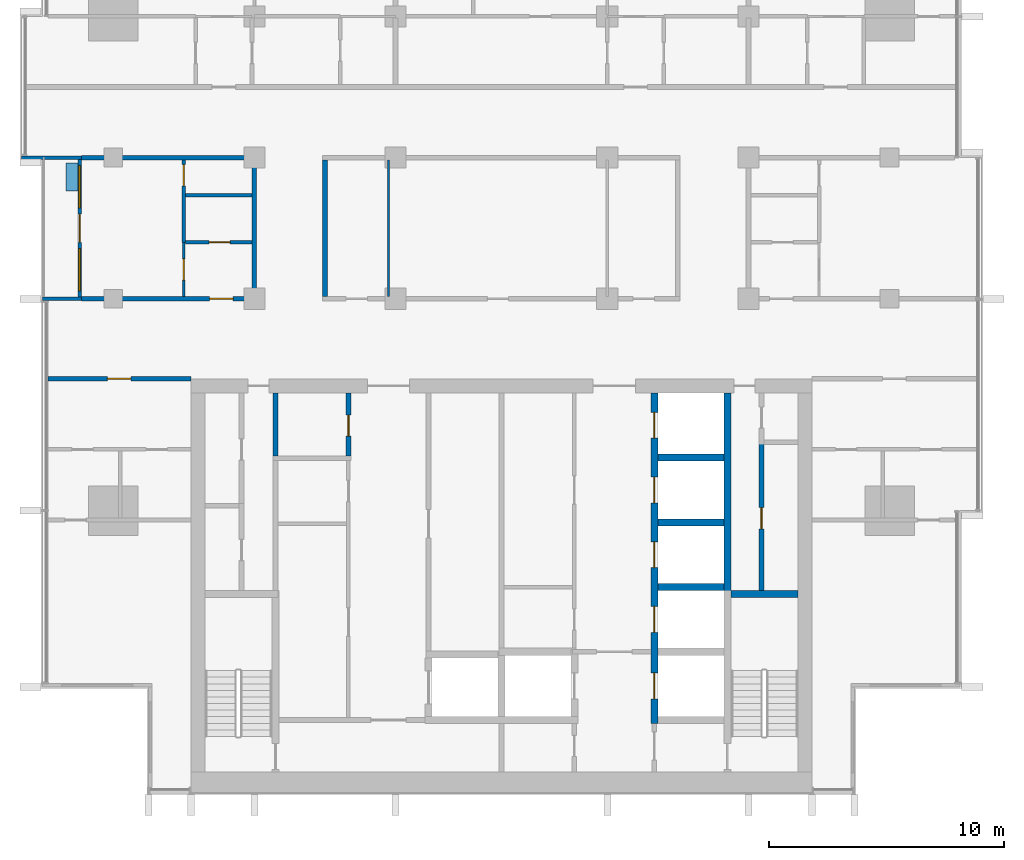
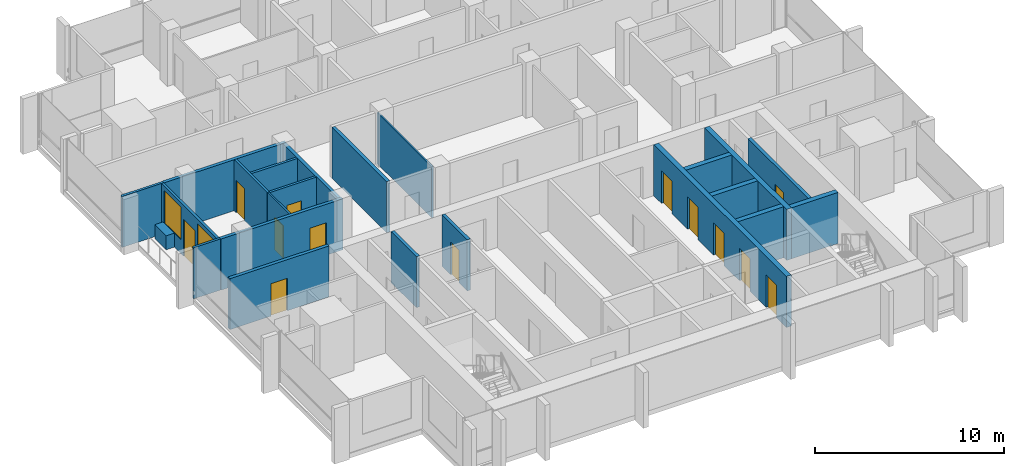
# One storey, part 8 of 16: 23 walls, 13 doors, 2 windows, 15 openings.
"""IFC4 building model written with IfcOpenShell, lengths in metres."""

from ifc_helpers import new_model, si_unit, direction, frame, frame_2d, origin, place, context, subcontext, project, spatial, rectangle, extrude, material, layer, layer_set, type_object, element, fill, save


model = new_model("IFC4")

# Units and contexts
model_context = context("Model", 3, precision=1e-05, world=origin(), true_north=direction((0.0, 1.0)))
body_context = subcontext(model_context, "Body", "Model", "MODEL_VIEW")
ifc_project = project(units=[si_unit("LENGTHUNIT", "METRE"), si_unit("AREAUNIT", "SQUARE_METRE"), si_unit("VOLUMEUNIT", "CUBIC_METRE"), si_unit("PLANEANGLEUNIT", "RADIAN"), si_unit("MASSUNIT", "GRAM", prefix="KILO")], contexts=[model_context])

# Site, building, storey
site_placement = place(None, origin())
site = spatial("IfcSite", under=ifc_project, at=site_placement, CompositionType="ELEMENT")
building_placement = place(site_placement, origin())
building = spatial("IfcBuilding", under=site, at=building_placement, Name="Finial Court Residences", CompositionType="ELEMENT")
storey_placement = place(building_placement, frame((0.0, 0.0, 233.89990234375)))
storey = spatial("IfcBuildingStorey", under=building, at=storey_placement, Name="L59", CompositionType="ELEMENT", Elevation=233.89990234375)

# Wall, opening, door
ifc_material_1 = material(Name="Gypsum board")
ifc_layer_1 = layer(ifc_material_1, 0.02490234375)
ifc_material_2 = material(Name="Acoustic mineral wool in double frame")
ifc_layer_2 = layer(ifc_material_2, 0.14990234375)
ifc_layer_3 = layer(ifc_material_1, 0.02490234375)
ifc_layer_set_1 = layer_set([ifc_layer_1, ifc_layer_2, ifc_layer_3], Name="Corridor wall 200, 1 hour")
wall_type_1 = type_object("IfcWallType", Name="Corridor wall 200, 1 hour", PredefinedType="PARTITIONING", material=ifc_layer_set_1)
wall_1_placement = place(storey_placement, frame((-19.262451171875, -7.89990234375, 0.0), z_axis=(0.0, 0.0, 1.0), x_axis=(1.0, 0.0, 0.0)))
wall_1 = element("IfcWall", 1, at=wall_1_placement, inside=storey, type_object=wall_type_1, Name="Partition L59-004", PredefinedType="PARTITIONING", context=body_context, shape_type="SweptSolid", body=[
    extrude(rectangle(XDim=6.0625, YDim=0.199951171875, at=frame_2d((3.03125, 0.0))), origin(), (0.0, 0.0, 1.0), 3.300048828125),
])
opening_1_placement = place(wall_1_placement, frame((2.511962890625, 0.0, 0.0)))
opening_1 = element("IfcOpeningElement", 2, at=opening_1_placement, cuts=wall_1, Name="Opening L59-D007", PredefinedType="OPENING", context=body_context, shape_type="SweptSolid", body=[
    extrude(rectangle(XDim=1.0, YDim=2.10009765625, at=frame_2d((0.5, 1.050048828125))), frame((0.0, 0.10986328125, 0.0), z_axis=(0.0, -1.0, 0.0), x_axis=(1.0, 0.0, 0.0)), (0.0, 0.0, 1.0), 0.219970703125),
])
ifc_material_3 = material(Name="Timber door leaf in hollow metal frame", Category="wood")
door_type_1 = type_object("IfcDoorType", Name="Fire door set 1000 x 2100, 30 minutes", OperationType="SINGLE_SWING_LEFT", PredefinedType="DOOR", material=ifc_material_3)
door_1_placement = place(opening_1_placement, origin())
door_1 = element("IfcDoor", 3, at=door_1_placement, inside=storey, type_object=door_type_1, Name="Door L59-D007", OperationType="SINGLE_SWING_RIGHT", OverallHeight=2.10009765625, OverallWidth=1.0, PredefinedType="DOOR", context=body_context, shape_type="SweptSolid", body=[
    extrude(rectangle(XDim=1.0, YDim=2.10009765625, at=frame_2d((0.5, 1.050048828125))), frame((0.0, 0.02490234375, 0.0), z_axis=(0.0, -1.0, 0.0), x_axis=(1.0, 0.0, 0.0)), (0.0, 0.0, 1.0), 0.050048828125),
])
fill(opening_1, door_1)

wall_2_placement = place(storey_placement, frame((-17.85009765625, -4.5, 0.0), z_axis=(0.0, 0.0, 1.0), x_axis=(1.0, 0.0, 0.0)))
wall_2 = element("IfcWall", 4, at=wall_2_placement, inside=storey, type_object=wall_type_1, Name="Partition L59-006", PredefinedType="PARTITIONING", context=body_context, shape_type="SweptSolid", body=[
    extrude(rectangle(XDim=7.4501953125, YDim=0.199951171875, at=frame_2d((3.72509765625, 0.0))), origin(), (0.0, 0.0, 1.0), 3.300048828125),
])
opening_2_placement = place(wall_2_placement, frame((5.449951171875, 0.0, 0.0)))
opening_2 = element("IfcOpeningElement", 5, at=opening_2_placement, cuts=wall_2, Name="Opening L59-D009", PredefinedType="OPENING", context=body_context, shape_type="SweptSolid", body=[
    extrude(rectangle(XDim=1.0, YDim=2.10009765625, at=frame_2d((0.5, 1.050048828125))), frame((0.0, 0.10986328125, 0.0), z_axis=(0.0, -1.0, 0.0), x_axis=(1.0, 0.0, 0.0)), (0.0, 0.0, 1.0), 0.219970703125),
])
door_2_placement = place(opening_2_placement, origin())
door_2 = element("IfcDoor", 6, at=door_2_placement, inside=storey, type_object=door_type_1, Name="Door L59-D009", OperationType="SINGLE_SWING_LEFT", OverallHeight=2.10009765625, OverallWidth=1.0, PredefinedType="DOOR", context=body_context, shape_type="SweptSolid", body=[
    extrude(rectangle(XDim=1.0, YDim=2.10009765625, at=frame_2d((0.5, 1.050048828125))), frame((0.0, 0.02490234375, 0.0), z_axis=(0.0, -1.0, 0.0), x_axis=(1.0, 0.0, 0.0)), (0.0, 0.0, 1.0), 0.050048828125),
])
fill(opening_2, door_2)

# Walls
wall_3_placement = place(storey_placement, frame((-17.85009765625, 1.5, 0.0), z_axis=(0.0, 0.0, 1.0), x_axis=(1.0, 0.0, 0.0)))
element("IfcWall", 7, at=wall_3_placement, inside=storey, type_object=wall_type_1, Name="Partition L59-013", PredefinedType="PARTITIONING", context=body_context, shape_type="SweptSolid", body=[
    extrude(rectangle(XDim=7.4501953125, YDim=0.199951171875, at=frame_2d((3.72509765625, 0.0))), origin(), (0.0, 0.0, 1.0), 3.300048828125),
])
for number, where, z_axis, x_axis, name in (
    (8, (-10.5, -4.39990234375, 0.0), (0.0, 0.0, 1.0), (0.0, 1.0, 0.0), "Partition L59-034"),
    (9, (-7.5, -4.39990234375, 0.0), (0.0, 0.0, 1.0), (0.0, 1.0, 0.0), "Partition L59-036"),
):
    element("IfcWall", number, at=place(storey_placement, frame(where, z_axis=z_axis, x_axis=x_axis)), inside=storey, type_object=wall_type_1, Name=name, PredefinedType="PARTITIONING", context=body_context, shape_type="SweptSolid", body=[
        extrude(rectangle(XDim=5.7998046875, YDim=0.199951171875, at=frame_2d((2.89990234375, 0.0))), origin(), (0.0, 0.0, 1.0), 3.300048828125),
    ])

# Wall, opening, door
ifc_layer_4 = layer(ifc_material_1, 0.012451171875)
ifc_material_4 = material(Name="Mineral wool in light-gauge frame")
ifc_layer_5 = layer(ifc_material_4, 0.074951171875)
ifc_layer_6 = layer(ifc_material_1, 0.012451171875)
ifc_layer_set_2 = layer_set([ifc_layer_4, ifc_layer_5, ifc_layer_6], Name="Gypsum board partition 100")
wall_type_2 = type_object("IfcWallType", Name="Gypsum board partition 100", PredefinedType="PARTITIONING", material=ifc_layer_set_2)
wall_4_placement = place(storey_placement, frame((-13.5, -4.39990234375, 0.0), z_axis=(0.0, 0.0, 1.0), x_axis=(0.0, 1.0, 0.0)))
wall_4 = element("IfcWall", 10, at=wall_4_placement, inside=storey, type_object=wall_type_2, Name="Partition L59-030", PredefinedType="PARTITIONING", context=body_context, shape_type="SweptSolid", body=[
    extrude(rectangle(XDim=2.2998046875, YDim=0.10009765625, at=frame_2d((1.14990234375, 0.0))), origin(), (0.0, 0.0, 1.0), 3.300048828125),
])
opening_3_placement = place(wall_4_placement, frame((0.699951171875, 0.0, 0.0)))
opening_3 = element("IfcOpeningElement", 11, at=opening_3_placement, cuts=wall_4, Name="Opening L59-D027", PredefinedType="OPENING", context=body_context, shape_type="SweptSolid", body=[
    extrude(rectangle(XDim=0.89990234375, YDim=2.10009765625, at=frame_2d((0.449951171875, 1.050048828125))), frame((0.0, 0.06005859375, 0.0), z_axis=(0.0, -1.0, 0.0), x_axis=(1.0, 0.0, 0.0)), (0.0, 0.0, 1.0), 0.1201171875),
])
ifc_material_5 = material(Name="Timber door leaf in timber frame", Category="wood")
door_type_2 = type_object("IfcDoorType", Name="Door set 900 x 2100", OperationType="SINGLE_SWING_LEFT", PredefinedType="DOOR", material=ifc_material_5)
door_3_placement = place(opening_3_placement, origin())
door_3 = element("IfcDoor", 12, at=door_3_placement, inside=storey, type_object=door_type_2, Name="Door L59-D027", OperationType="SINGLE_SWING_RIGHT", OverallHeight=2.10009765625, OverallWidth=0.89990234375, PredefinedType="DOOR", context=body_context, shape_type="SweptSolid", body=[
    extrude(rectangle(XDim=0.89990234375, YDim=2.10009765625, at=frame_2d((0.449951171875, 1.050048828125))), frame((0.0, 0.02490234375, 0.0), z_axis=(0.0, -1.0, 0.0), x_axis=(1.0, 0.0, 0.0)), (0.0, 0.0, 1.0), 0.050048828125),
])
fill(opening_3, door_3)

# Wall
wall_5_placement = place(storey_placement, frame((-4.800048828125, -4.39990234375, 0.0), z_axis=(0.0, 0.0, 1.0), x_axis=(0.0, 1.0, 0.0)))
element("IfcWall", 13, at=wall_5_placement, inside=storey, type_object=wall_type_2, Name="Partition L59-038", PredefinedType="PARTITIONING", context=body_context, shape_type="SweptSolid", body=[
    extrude(rectangle(XDim=5.7998046875, YDim=0.10009765625, at=frame_2d((2.89990234375, 0.0))), origin(), (0.0, 0.0, 1.0), 3.300048828125),
])

# Wall, opening, door
ifc_material_6 = material(Name="Moisture-resistant gypsum board")
ifc_layer_7 = layer(ifc_material_6, 0.012451171875)
ifc_layer_8 = layer(ifc_material_4, 0.125)
ifc_layer_9 = layer(ifc_material_6, 0.012451171875)
ifc_layer_set_3 = layer_set([ifc_layer_7, ifc_layer_8, ifc_layer_9], Name="Gypsum board wet-area partition 150")
wall_type_3 = type_object("IfcWallType", Name="Gypsum board wet-area partition 150", PredefinedType="PARTITIONING", material=ifc_layer_set_3)
wall_6_placement = place(storey_placement, frame((-13.425048828125, -2.10009765625, 0.0), z_axis=(0.0, 0.0, 1.0), x_axis=(1.0, 0.0, 0.0)))
wall_6 = element("IfcWall", 14, at=wall_6_placement, inside=storey, type_object=wall_type_3, Name="Partition L59-009", PredefinedType="PARTITIONING", context=body_context, shape_type="SweptSolid", body=[
    extrude(rectangle(XDim=2.824951171875, YDim=0.14990234375, at=frame_2d((1.41259765625, 0.0))), origin(), (0.0, 0.0, 1.0), 3.300048828125),
])
opening_4_placement = place(wall_6_placement, frame((1.0, 0.0, 0.0)))
opening_4 = element("IfcOpeningElement", 15, at=opening_4_placement, cuts=wall_6, Name="Opening L59-D014", PredefinedType="OPENING", context=body_context, shape_type="SweptSolid", body=[
    extrude(rectangle(XDim=0.89990234375, YDim=2.10009765625, at=frame_2d((0.449951171875, 1.050048828125))), frame((0.0, 0.0849609375, 0.0), z_axis=(0.0, -1.0, 0.0), x_axis=(1.0, 0.0, 0.0)), (0.0, 0.0, 1.0), 0.169921875),
])
door_4_placement = place(opening_4_placement, origin())
door_4 = element("IfcDoor", 16, at=door_4_placement, inside=storey, type_object=door_type_2, Name="Door L59-D014", OperationType="SINGLE_SWING_RIGHT", OverallHeight=2.10009765625, OverallWidth=0.89990234375, PredefinedType="DOOR", context=body_context, shape_type="SweptSolid", body=[
    extrude(rectangle(XDim=0.89990234375, YDim=2.10009765625, at=frame_2d((0.449951171875, 1.050048828125))), frame((0.0, 0.02490234375, 0.0), z_axis=(0.0, -1.0, 0.0), x_axis=(1.0, 0.0, 0.0)), (0.0, 0.0, 1.0), 0.050048828125),
])
fill(opening_4, door_4)

# Wall
wall_7_placement = place(storey_placement, frame((-13.425048828125, -0.10009765625, 0.0), z_axis=(0.0, 0.0, 1.0), x_axis=(1.0, 0.0, 0.0)))
element("IfcWall", 17, at=wall_7_placement, inside=storey, type_object=wall_type_3, Name="Partition L59-011", PredefinedType="PARTITIONING", context=body_context, shape_type="SweptSolid", body=[
    extrude(rectangle(XDim=2.824951171875, YDim=0.14990234375, at=frame_2d((1.41259765625, 0.0))), origin(), (0.0, 0.0, 1.0), 3.300048828125),
])

# Wall, opening, door
wall_8_placement = place(storey_placement, frame((-13.5, -2.10009765625, 0.0), z_axis=(0.0, 0.0, 1.0), x_axis=(0.0, 1.0, 0.0)))
wall_8 = element("IfcWall", 18, at=wall_8_placement, inside=storey, type_object=wall_type_3, Name="Partition L59-031", PredefinedType="PARTITIONING", context=body_context, shape_type="SweptSolid", body=[
    extrude(rectangle(XDim=3.5, YDim=0.14990234375, at=frame_2d((1.75, 0.0))), origin(), (0.0, 0.0, 1.0), 3.300048828125),
])
opening_5_placement = place(wall_8_placement, frame((2.39990234375, 0.0, 0.0)))
opening_5 = element("IfcOpeningElement", 19, at=opening_5_placement, cuts=wall_8, Name="Opening L59-D028", PredefinedType="OPENING", context=body_context, shape_type="SweptSolid", body=[
    extrude(rectangle(XDim=0.89990234375, YDim=2.10009765625, at=frame_2d((0.449951171875, 1.050048828125))), frame((0.0, 0.0849609375, 0.0), z_axis=(0.0, -1.0, 0.0), x_axis=(1.0, 0.0, 0.0)), (0.0, 0.0, 1.0), 0.169921875),
])
door_5_placement = place(opening_5_placement, origin())
door_5 = element("IfcDoor", 20, at=door_5_placement, inside=storey, type_object=door_type_2, Name="Door L59-D028", OperationType="SINGLE_SWING_RIGHT", OverallHeight=2.10009765625, OverallWidth=0.89990234375, PredefinedType="DOOR", context=body_context, shape_type="SweptSolid", body=[
    extrude(rectangle(XDim=0.89990234375, YDim=2.10009765625, at=frame_2d((0.449951171875, 1.050048828125))), frame((0.0, 0.02490234375, 0.0), z_axis=(0.0, -1.0, 0.0), x_axis=(1.0, 0.0, 0.0)), (0.0, 0.0, 1.0), 0.050048828125),
])
fill(opening_5, door_5)

# Walls
ifc_material_7 = material(Name="Concrete C60/75", Category="concrete")
ifc_layer_10 = layer(ifc_material_7, 0.300048828125)
ifc_layer_set_4 = layer_set([ifc_layer_10], Name="Lift shaft and stair wall 300 Concrete C60/75")
wall_type_4 = type_object("IfcWallType", Name="Lift shaft and stair wall 300 Concrete C60/75", PredefinedType="SHEAR", material=ifc_layer_set_4)
wall_9_placement = place(storey_placement, frame((9.75, -17.050048828125, 0.0), z_axis=(0.0, 0.0, 1.0), x_axis=(1.0, 0.0, 0.0)))
element("IfcWall", 21, at=wall_9_placement, inside=storey, type_object=wall_type_4, Name="Core wall L59-09", PredefinedType="SHEAR", context=body_context, shape_type="SweptSolid", body=[
    extrude(rectangle(XDim=2.85009765625, YDim=0.300048828125, at=frame_2d((1.425048828125, 0.0))), origin(), (0.0, 0.0, 1.0), 3.300048828125),
])
for number, where, z_axis, x_axis, name in (
    (22, (6.64990234375, -16.75, 0.0), (0.0, 0.0, 1.0), (1.0, 0.0, 0.0), "Core wall L59-11"),
    (23, (6.64990234375, -14.0, 0.0), (0.0, 0.0, 1.0), (1.0, 0.0, 0.0), "Core wall L59-13"),
    (24, (6.64990234375, -11.25, 0.0), (0.0, 0.0, 1.0), (1.0, 0.0, 0.0), "Core wall L59-16"),
):
    element("IfcWall", number, at=place(storey_placement, frame(where, z_axis=z_axis, x_axis=x_axis)), inside=storey, type_object=wall_type_4, Name=name, PredefinedType="SHEAR", context=body_context, shape_type="SweptSolid", body=[
        extrude(rectangle(XDim=2.800048828125, YDim=0.300048828125, at=frame_2d((1.39990234375, 0.0))), origin(), (0.0, 0.0, 1.0), 3.300048828125),
    ])

# Wall, openings, doors
wall_10_placement = place(storey_placement, frame((6.5, -22.550048828125, 0.0), z_axis=(0.0, 0.0, 1.0), x_axis=(0.0, 1.0, 0.0)))
wall_10 = element("IfcWall", 25, at=wall_10_placement, inside=storey, type_object=wall_type_4, Name="Core wall L59-34", PredefinedType="SHEAR", context=body_context, shape_type="SweptSolid", body=[
    extrude(rectangle(XDim=14.050048828125, YDim=0.300048828125, at=frame_2d((7.02490234375, 0.0))), origin(), (0.0, 0.0, 1.0), 3.300048828125),
])
opening_6_placement = place(wall_10_placement, frame((1.050048828125, 0.0, 0.0)))
opening_6 = element("IfcOpeningElement", 26, at=opening_6_placement, cuts=wall_10, Name="Opening L59-LD02", PredefinedType="OPENING", context=body_context, shape_type="SweptSolid", body=[
    extrude(rectangle(XDim=1.10009765625, YDim=2.10009765625, at=frame_2d((0.550048828125, 1.050048828125))), frame((0.0, 0.159912109375, 0.0), z_axis=(0.0, -1.0, 0.0), x_axis=(1.0, 0.0, 0.0)), (0.0, 0.0, 1.0), 0.320068359375),
])
opening_7_placement = place(wall_10_placement, frame((3.875, 0.0, 0.0)))
opening_7 = element("IfcOpeningElement", 27, at=opening_7_placement, cuts=wall_10, Name="Opening L59-LD03", PredefinedType="OPENING", context=body_context, shape_type="SweptSolid", body=[
    extrude(rectangle(XDim=1.10009765625, YDim=2.10009765625, at=frame_2d((0.550048828125, 1.050048828125))), frame((0.0, 0.159912109375, 0.0), z_axis=(0.0, -1.0, 0.0), x_axis=(1.0, 0.0, 0.0)), (0.0, 0.0, 1.0), 0.320068359375),
])
opening_8_placement = place(wall_10_placement, frame((6.625, 0.0, 0.0)))
opening_8 = element("IfcOpeningElement", 28, at=opening_8_placement, cuts=wall_10, Name="Opening L59-LD04", PredefinedType="OPENING", context=body_context, shape_type="SweptSolid", body=[
    extrude(rectangle(XDim=1.10009765625, YDim=2.10009765625, at=frame_2d((0.550048828125, 1.050048828125))), frame((0.0, 0.159912109375, 0.0), z_axis=(0.0, -1.0, 0.0), x_axis=(1.0, 0.0, 0.0)), (0.0, 0.0, 1.0), 0.320068359375),
])
opening_9_placement = place(wall_10_placement, frame((9.375, 0.0, 0.0)))
opening_9 = element("IfcOpeningElement", 29, at=opening_9_placement, cuts=wall_10, Name="Opening L59-LD05", PredefinedType="OPENING", context=body_context, shape_type="SweptSolid", body=[
    extrude(rectangle(XDim=1.10009765625, YDim=2.10009765625, at=frame_2d((0.550048828125, 1.050048828125))), frame((0.0, 0.159912109375, 0.0), z_axis=(0.0, -1.0, 0.0), x_axis=(1.0, 0.0, 0.0)), (0.0, 0.0, 1.0), 0.320068359375),
])
opening_10_placement = place(wall_10_placement, frame((12.125, 0.0, 0.0)))
opening_10 = element("IfcOpeningElement", 30, at=opening_10_placement, cuts=wall_10, Name="Opening L59-LD06", PredefinedType="OPENING", context=body_context, shape_type="SweptSolid", body=[
    extrude(rectangle(XDim=1.10009765625, YDim=2.10009765625, at=frame_2d((0.550048828125, 1.050048828125))), frame((0.0, 0.159912109375, 0.0), z_axis=(0.0, -1.0, 0.0), x_axis=(1.0, 0.0, 0.0)), (0.0, 0.0, 1.0), 0.320068359375),
])
ifc_material_8 = material(Name="Stainless steel lift door", Category="steel")
door_type_3 = type_object("IfcDoorType", Name="Lift landing door 1100 x 2100 EI 90", OperationType="DOUBLE_DOOR_SLIDING", PredefinedType="DOOR", material=ifc_material_8)
door_6_placement = place(opening_6_placement, origin())
door_6 = element("IfcDoor", 31, at=door_6_placement, inside=storey, type_object=door_type_3, Name="Lift landing door FF2 L59", OperationType="DOUBLE_DOOR_SLIDING", OverallHeight=2.10009765625, OverallWidth=1.10009765625, PredefinedType="DOOR", context=body_context, shape_type="SweptSolid", body=[
    extrude(rectangle(XDim=1.10009765625, YDim=2.10009765625, at=frame_2d((0.550048828125, 1.050048828125))), frame((0.0, 0.02490234375, 0.0), z_axis=(0.0, -1.0, 0.0), x_axis=(1.0, 0.0, 0.0)), (0.0, 0.0, 1.0), 0.050048828125),
])
fill(opening_6, door_6)
door_7_placement = place(opening_7_placement, origin())
door_7 = element("IfcDoor", 32, at=door_7_placement, inside=storey, type_object=door_type_3, Name="Lift landing door HR5 L59", OperationType="DOUBLE_DOOR_SLIDING", OverallHeight=2.10009765625, OverallWidth=1.10009765625, PredefinedType="DOOR", context=body_context, shape_type="SweptSolid", body=[
    extrude(rectangle(XDim=1.10009765625, YDim=2.10009765625, at=frame_2d((0.550048828125, 1.050048828125))), frame((0.0, 0.02490234375, 0.0), z_axis=(0.0, -1.0, 0.0), x_axis=(1.0, 0.0, 0.0)), (0.0, 0.0, 1.0), 0.050048828125),
])
fill(opening_7, door_7)
door_8_placement = place(opening_8_placement, origin())
door_8 = element("IfcDoor", 33, at=door_8_placement, inside=storey, type_object=door_type_3, Name="Lift landing door HR6 L59", OperationType="DOUBLE_DOOR_SLIDING", OverallHeight=2.10009765625, OverallWidth=1.10009765625, PredefinedType="DOOR", context=body_context, shape_type="SweptSolid", body=[
    extrude(rectangle(XDim=1.10009765625, YDim=2.10009765625, at=frame_2d((0.550048828125, 1.050048828125))), frame((0.0, 0.02490234375, 0.0), z_axis=(0.0, -1.0, 0.0), x_axis=(1.0, 0.0, 0.0)), (0.0, 0.0, 1.0), 0.050048828125),
])
fill(opening_8, door_8)
door_9_placement = place(opening_9_placement, origin())
door_9 = element("IfcDoor", 34, at=door_9_placement, inside=storey, type_object=door_type_3, Name="Lift landing door HR7 L59", OperationType="DOUBLE_DOOR_SLIDING", OverallHeight=2.10009765625, OverallWidth=1.10009765625, PredefinedType="DOOR", context=body_context, shape_type="SweptSolid", body=[
    extrude(rectangle(XDim=1.10009765625, YDim=2.10009765625, at=frame_2d((0.550048828125, 1.050048828125))), frame((0.0, 0.02490234375, 0.0), z_axis=(0.0, -1.0, 0.0), x_axis=(1.0, 0.0, 0.0)), (0.0, 0.0, 1.0), 0.050048828125),
])
fill(opening_9, door_9)
door_10_placement = place(opening_10_placement, origin())
door_10 = element("IfcDoor", 35, at=door_10_placement, inside=storey, type_object=door_type_3, Name="Lift landing door HR8 L59", OperationType="DOUBLE_DOOR_SLIDING", OverallHeight=2.10009765625, OverallWidth=1.10009765625, PredefinedType="DOOR", context=body_context, shape_type="SweptSolid", body=[
    extrude(rectangle(XDim=1.10009765625, YDim=2.10009765625, at=frame_2d((0.550048828125, 1.050048828125))), frame((0.0, 0.02490234375, 0.0), z_axis=(0.0, -1.0, 0.0), x_axis=(1.0, 0.0, 0.0)), (0.0, 0.0, 1.0), 0.050048828125),
])
fill(opening_10, door_10)

# Walls
wall_11_placement = place(storey_placement, frame((9.60009765625, -17.199951171875, 0.0), z_axis=(0.0, 0.0, 1.0), x_axis=(0.0, 1.0, 0.0)))
element("IfcWall", 36, at=wall_11_placement, inside=storey, type_object=wall_type_4, Name="Core wall L59-36", PredefinedType="SHEAR", context=body_context, shape_type="SweptSolid", body=[
    extrude(rectangle(XDim=8.699951171875, YDim=0.300048828125, at=frame_2d((4.35009765625, 0.0))), origin(), (0.0, 0.0, 1.0), 3.300048828125),
])
ifc_material_9 = material(Name="Natural limestone", Category="masonry")
ifc_layer_11 = layer(ifc_material_9, 0.14990234375)
ifc_layer_set_5 = layer_set([ifc_layer_11], Name="Limestone clad wall 150")
wall_type_5 = type_object("IfcWallType", Name="Limestone clad wall 150", PredefinedType="SOLIDWALL", material=ifc_layer_set_5)
wall_12_placement = place(storey_placement, frame((-17.85009765625, -4.5, 0.0), z_axis=(0.0, 0.0, 1.0), x_axis=(-1.0, 0.0, 0.0)))
element("IfcWall", 37, at=wall_12_placement, inside=storey, type_object=wall_type_5, Name="E-L59-BALW3-P1", PredefinedType="SOLIDWALL", context=body_context, shape_type="SweptSolid", body=[
    extrude(rectangle(XDim=1.64990234375, YDim=0.14990234375, at=frame_2d((0.824951171875, 0.0))), origin(), (0.0, 0.0, 1.0), 3.300048828125),
])
wall_13_placement = place(storey_placement, frame((-17.85009765625, 1.5, 0.0), z_axis=(0.0, 0.0, 1.0), x_axis=(-1.0, 0.0, 0.0)))
element("IfcWall", 38, at=wall_13_placement, inside=storey, type_object=wall_type_5, Name="E-L59-BALW3-P2", PredefinedType="SOLIDWALL", context=body_context, shape_type="SweptSolid", body=[
    extrude(rectangle(XDim=2.5498046875, YDim=0.14990234375, at=frame_2d((1.27490234375, 0.0))), origin(), (0.0, 0.0, 1.0), 3.300048828125),
])

# Wall, openings, door, windows
wall_14_placement = place(storey_placement, frame((-17.925048828125, -4.425048828125, 0.0), z_axis=(0.0, 0.0, 1.0), x_axis=(0.0, 1.0, 0.0)))
wall_14 = element("IfcWall", 39, at=wall_14_placement, inside=storey, type_object=wall_type_5, Name="E-L59-L59-BALW3-W", PredefinedType="SOLIDWALL", context=body_context, shape_type="SweptSolid", body=[
    extrude(rectangle(XDim=5.85009765625, YDim=0.14990234375, at=frame_2d((2.925048828125, 0.0))), origin(), (0.0, 0.0, 1.0), 3.300048828125),
])
opening_11_placement = place(wall_14_placement, frame((2.324951171875, 0.0, 0.0)))
opening_11 = element("IfcOpeningElement", 40, at=opening_11_placement, cuts=wall_14, Name="Opening DE59-02", PredefinedType="OPENING", context=body_context, shape_type="SweptSolid", body=[
    extrude(rectangle(XDim=1.199951171875, YDim=2.39990234375, at=frame_2d((0.60009765625, 1.199951171875))), frame((0.0, 0.0849609375, 0.0), z_axis=(0.0, -1.0, 0.0), x_axis=(1.0, 0.0, 0.0)), (0.0, 0.0, 1.0), 0.169921875),
])
opening_12_placement = place(wall_14_placement, frame((0.262451171875, 0.0, 0.89990234375)))
opening_12 = element("IfcOpeningElement", 41, at=opening_12_placement, cuts=wall_14, Name="Opening WE59-11", PredefinedType="OPENING", context=body_context, shape_type="SweptSolid", body=[
    extrude(rectangle(XDim=1.800048828125, YDim=2.10009765625, at=frame_2d((0.89990234375, 1.050048828125))), frame((0.0, 0.0849609375, 0.0), z_axis=(0.0, -1.0, 0.0), x_axis=(1.0, 0.0, 0.0)), (0.0, 0.0, 1.0), 0.169921875),
])
opening_13_placement = place(wall_14_placement, frame((3.78759765625, 0.0, 0.89990234375)))
opening_13 = element("IfcOpeningElement", 42, at=opening_13_placement, cuts=wall_14, Name="Opening WE59-12", PredefinedType="OPENING", context=body_context, shape_type="SweptSolid", body=[
    extrude(rectangle(XDim=1.800048828125, YDim=2.10009765625, at=frame_2d((0.89990234375, 1.050048828125))), frame((0.0, 0.0849609375, 0.0), z_axis=(0.0, -1.0, 0.0), x_axis=(1.0, 0.0, 0.0)), (0.0, 0.0, 1.0), 0.169921875),
])
ifc_material_10 = material(Name="Bronze anodised aluminium", Category="aluminium")
door_type_4 = type_object("IfcDoorType", Name="Balcony door 1200 x 2400", OperationType="SINGLE_SWING_LEFT", PredefinedType="DOOR", material=ifc_material_10)
door_11_placement = place(opening_11_placement, origin())
door_11 = element("IfcDoor", 43, at=door_11_placement, inside=storey, type_object=door_type_4, Name="E-L59-L59-BALW3-W-D", OperationType="SINGLE_SWING_LEFT", OverallHeight=2.39990234375, OverallWidth=1.199951171875, PredefinedType="DOOR", context=body_context, shape_type="SweptSolid", body=[
    extrude(rectangle(XDim=1.199951171875, YDim=2.39990234375, at=frame_2d((0.60009765625, 1.199951171875))), frame((0.0, 0.02490234375, 0.0), z_axis=(0.0, -1.0, 0.0), x_axis=(1.0, 0.0, 0.0)), (0.0, 0.0, 1.0), 0.050048828125),
])
fill(opening_11, door_11)
ifc_material_11 = material(Name="Clear low-e glass", Category="glass")
window_type = type_object("IfcWindowType", Name="Balcony window 1800 x 2100", PartitioningType="SINGLE_PANEL", PredefinedType="WINDOW", material=ifc_material_11)
window_1_placement = place(opening_12_placement, origin())
window_1 = element("IfcWindow", 44, at=window_1_placement, inside=storey, type_object=window_type, Name="E-L59-L59-BALW3-W-W1", OverallHeight=2.10009765625, OverallWidth=1.800048828125, PartitioningType="SINGLE_PANEL", PredefinedType="WINDOW", context=body_context, shape_type="SweptSolid", body=[
    extrude(rectangle(XDim=1.800048828125, YDim=2.10009765625, at=frame_2d((0.89990234375, 1.050048828125))), frame((0.0, 0.030029296875, 0.0), z_axis=(0.0, -1.0, 0.0), x_axis=(1.0, 0.0, 0.0)), (0.0, 0.0, 1.0), 0.06005859375),
])
fill(opening_12, window_1)
window_2_placement = place(opening_13_placement, origin())
window_2 = element("IfcWindow", 45, at=window_2_placement, inside=storey, type_object=window_type, Name="E-L59-L59-BALW3-W-W2", OverallHeight=2.10009765625, OverallWidth=1.800048828125, PartitioningType="SINGLE_PANEL", PredefinedType="WINDOW", context=body_context, shape_type="SweptSolid", body=[
    extrude(rectangle(XDim=1.800048828125, YDim=2.10009765625, at=frame_2d((0.89990234375, 1.050048828125))), frame((0.0, 0.030029296875, 0.0), z_axis=(0.0, -1.0, 0.0), x_axis=(1.0, 0.0, 0.0)), (0.0, 0.0, 1.0), 0.06005859375),
])
fill(opening_13, window_2)

# Walls
ifc_material_12 = material(Name="Concrete C40/50", Category="concrete")
ifc_layer_12 = layer(ifc_material_12, 0.10009765625)
ifc_material_13 = material(Name="Planting soil", Category="soil")
ifc_layer_13 = layer(ifc_material_13, 0.300048828125)
ifc_layer_14 = layer(ifc_material_12, 0.10009765625)
ifc_layer_set_6 = layer_set([ifc_layer_12, ifc_layer_13, ifc_layer_14], Name="Planter wall, balcony")
wall_type_6 = type_object("IfcWallType", Name="Planter wall, balcony", PredefinedType="USERDEFINED", material=ifc_layer_set_6)
wall_15_placement = place(storey_placement, frame((-18.25, 0.074951171875, 0.0), z_axis=(0.0, 0.0, 1.0), x_axis=(0.0, 1.0, 0.0)))
element("IfcWall", 46, at=wall_15_placement, inside=storey, type_object=wall_type_6, Name="E-L59-BALW3-PL", ObjectType="PLANTER", PredefinedType="USERDEFINED", context=body_context, shape_type="SweptSolid", body=[
    extrude(rectangle(XDim=1.199951171875, YDim=0.5, at=frame_2d((0.60009765625, 0.0))), origin(), (0.0, 0.0, 1.0), 0.900146484375),
])
ifc_material_14 = material(Name="Fire-rated gypsum board partition")
ifc_layer_15 = layer(ifc_material_14, 0.199951171875)
ifc_layer_set_7 = layer_set([ifc_layer_15], Name="Riser room wall 200 EI 120")
wall_type_7 = type_object("IfcWallType", Name="Riser room wall 200 EI 120", PredefinedType="PARTITIONING", material=ifc_layer_set_7)
wall_16_placement = place(storey_placement, frame((-9.60009765625, -11.179931640625, 0.0), z_axis=(0.0, 0.0, 1.0), x_axis=(0.0, 1.0, 0.0)))
element("IfcWall", 47, at=wall_16_placement, inside=storey, type_object=wall_type_7, Name="Core partition L59-22", PredefinedType="PARTITIONING", context=body_context, shape_type="SweptSolid", body=[
    extrude(rectangle(XDim=2.679931640625, YDim=0.199951171875, at=frame_2d((1.33984375, 0.0))), origin(), (0.0, 0.0, 1.0), 3.300048828125),
])

# Wall, opening, door
wall_17_placement = place(storey_placement, frame((-6.5, -11.179931640625, 0.0), z_axis=(0.0, 0.0, 1.0), x_axis=(0.0, 1.0, 0.0)))
wall_17 = element("IfcWall", 48, at=wall_17_placement, inside=storey, type_object=wall_type_7, Name="Core partition L59-24", PredefinedType="PARTITIONING", context=body_context, shape_type="SweptSolid", body=[
    extrude(rectangle(XDim=2.679931640625, YDim=0.199951171875, at=frame_2d((1.33984375, 0.0))), origin(), (0.0, 0.0, 1.0), 3.300048828125),
])
opening_14_placement = place(wall_17_placement, frame((0.840087890625, 0.0, 0.0)))
opening_14 = element("IfcOpeningElement", 49, at=opening_14_placement, cuts=wall_17, Name="Opening L59-C09", PredefinedType="OPENING", context=body_context, shape_type="SweptSolid", body=[
    extrude(rectangle(XDim=0.89990234375, YDim=2.10009765625, at=frame_2d((0.449951171875, 1.050048828125))), frame((0.0, 0.10986328125, 0.0), z_axis=(0.0, -1.0, 0.0), x_axis=(1.0, 0.0, 0.0)), (0.0, 0.0, 1.0), 0.219970703125),
])
ifc_material_15 = material(Name="Steel fire door", Category="steel")
door_type_5 = type_object("IfcDoorType", Name="Riser room door 900 x 2100 EI 90", OperationType="NOTDEFINED", PredefinedType="DOOR", material=ifc_material_15)
door_12_placement = place(opening_14_placement, origin())
door_12 = element("IfcDoor", 50, at=door_12_placement, inside=storey, type_object=door_type_5, Name="Riser room door L59-C09", OperationType="SINGLE_SWING_LEFT", OverallHeight=2.10009765625, OverallWidth=0.89990234375, PredefinedType="DOOR", context=body_context, shape_type="SweptSolid", body=[
    extrude(rectangle(XDim=0.89990234375, YDim=2.10009765625, at=frame_2d((0.449951171875, 1.050048828125))), frame((0.0, 0.02490234375, 0.0), z_axis=(0.0, -1.0, 0.0), x_axis=(1.0, 0.0, 0.0)), (0.0, 0.0, 1.0), 0.050048828125),
])
fill(opening_14, door_12)

ifc_layer_16 = layer(ifc_material_14, 0.199951171875)
ifc_layer_set_8 = layer_set([ifc_layer_16], Name="Stair passage wall 200 EI 180")
wall_type_8 = type_object("IfcWallType", Name="Stair passage wall 200 EI 180", PredefinedType="PARTITIONING", material=ifc_layer_set_8)
wall_18_placement = place(storey_placement, frame((11.050048828125, -10.5, 0.0), z_axis=(0.0, 0.0, 1.0), x_axis=(0.0, -1.0, 0.0)))
wall_18 = element("IfcWall", 51, at=wall_18_placement, inside=storey, type_object=wall_type_8, Name="Core partition L59-37", PredefinedType="PARTITIONING", context=body_context, shape_type="SweptSolid", body=[
    extrude(rectangle(XDim=6.39990234375, YDim=0.199951171875, at=frame_2d((3.199951171875, 0.0))), origin(), (0.0, 0.0, 1.0), 3.300048828125),
])
opening_15_placement = place(wall_18_placement, frame((2.875, 0.0, 0.0)))
opening_15 = element("IfcOpeningElement", 52, at=opening_15_placement, cuts=wall_18, Name="Opening L59-C14", PredefinedType="OPENING", context=body_context, shape_type="SweptSolid", body=[
    extrude(rectangle(XDim=0.89990234375, YDim=2.10009765625, at=frame_2d((0.449951171875, 1.050048828125))), frame((0.0, 0.10986328125, 0.0), z_axis=(0.0, -1.0, 0.0), x_axis=(1.0, 0.0, 0.0)), (0.0, 0.0, 1.0), 0.219970703125),
])
door_type_6 = type_object("IfcDoorType", Name="Core room door 900 x 2100 EI 60", OperationType="NOTDEFINED", PredefinedType="DOOR", material=ifc_material_15)
door_13_placement = place(opening_15_placement, origin())
door_13 = element("IfcDoor", 53, at=door_13_placement, inside=storey, type_object=door_type_6, Name="Core room door L59-C14", OperationType="SINGLE_SWING_LEFT", OverallHeight=2.10009765625, OverallWidth=0.89990234375, PredefinedType="DOOR", context=body_context, shape_type="SweptSolid", body=[
    extrude(rectangle(XDim=0.89990234375, YDim=2.10009765625, at=frame_2d((0.449951171875, 1.050048828125))), frame((0.0, 0.02490234375, 0.0), z_axis=(0.0, -1.0, 0.0), x_axis=(1.0, 0.0, 0.0)), (0.0, 0.0, 1.0), 0.050048828125),
])
fill(opening_15, door_13)

save(model, "model.ifc")
